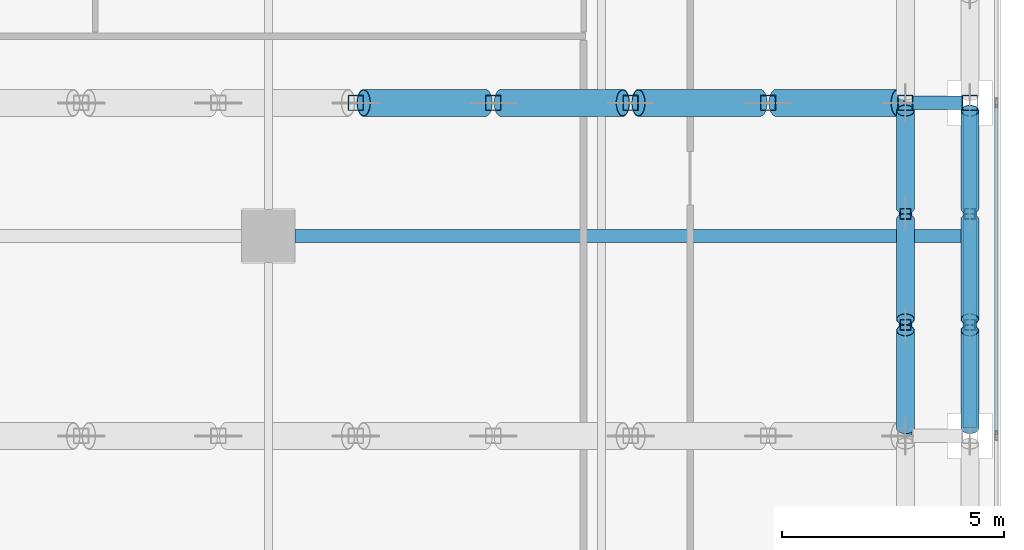
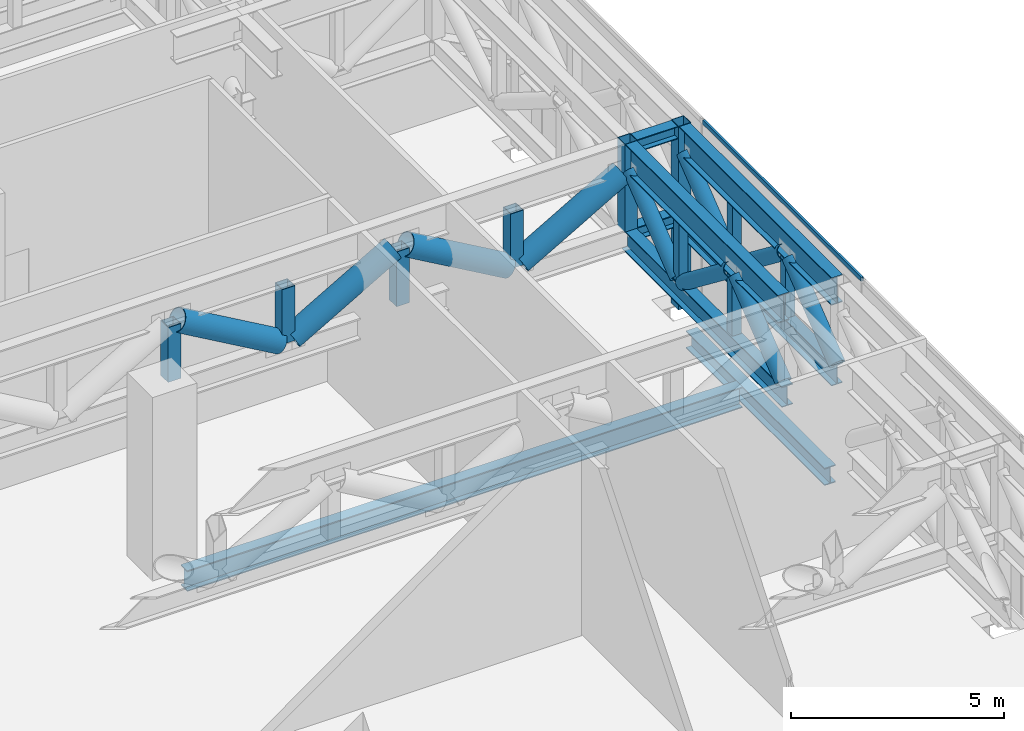
# One storey, part 15 of 36: 25 members, 4 beams, 1 element without a shape of its own.
"""IFC4 building model written with IfcOpenShell, lengths in metres."""

from ifc_helpers import new_model, si_unit, direction, frame, origin, origin_2d, place, context, subcontext, project, spatial, hollow_rectangle, hollow_circle, i_section, extrude, source, transform, mapped, material, material_profile, profile_set, type_object, element, aggregate, save


model = new_model("IFC4")

# Units and contexts
model_context = context("Model", 3, precision=1e-05, world=origin(), true_north=direction((0.0, 1.0)))
body_context = subcontext(model_context, "Body", "Model", "MODEL_VIEW")
ifc_project = project(units=[si_unit("LENGTHUNIT", "METRE"), si_unit("AREAUNIT", "SQUARE_METRE"), si_unit("VOLUMEUNIT", "CUBIC_METRE"), si_unit("PLANEANGLEUNIT", "RADIAN"), si_unit("MASSUNIT", "GRAM", prefix="KILO")], contexts=[model_context])

# Site, building, storey
site_placement = place(None, origin())
site = spatial("IfcSite", under=ifc_project, at=site_placement, CompositionType="ELEMENT")
building_placement = place(site_placement, origin())
building = spatial("IfcBuilding", under=site, at=building_placement, Name="Khomas Fold Tower", CompositionType="ELEMENT")
storey_placement = place(building_placement, frame((0.0, 0.0, 216.699951171875)))
storey = spatial("IfcBuildingStorey", under=building, at=storey_placement, Name="L48", CompositionType="ELEMENT", Elevation=216.699951171875)

# Beams
ifc_material_1 = material(Name="Steel S355", Category="steel")
ifc_material_profile_1 = material_profile(ifc_material_1, i_section(OverallWidth=0.300048828125, OverallDepth=0.5, WebThickness=0.014404296875, FlangeThickness=0.028076171875, at=origin_2d()), Name="HE 500 B")
ifc_profile_set_1 = profile_set([ifc_material_profile_1], Name="Steel S355")
beam_type_1 = type_object("IfcBeamType", Name="HE 500 B spandrel SB3", PredefinedType="SPANDREL", material=ifc_profile_set_1)
shared_shape_1 = source(origin(), body_context, "Body", "SweptSolid", [
    extrude(i_section(OverallWidth=0.300048828125, OverallDepth=0.5, WebThickness=0.014404296875, FlangeThickness=0.028076171875, at=origin_2d()), origin(), (0.0, 0.0, 1.0), 6.5),
])
beam_1_placement = place(storey_placement, frame((50.300048828125, 27.5, -0.64990234375), z_axis=(0.0, 1.0, 0.0), x_axis=(-1.0, 0.0, 0.0)))
element("IfcBeam", 1, at=beam_1_placement, inside=storey, type_object=beam_type_1, Name="SB3", PredefinedType="SPANDREL", context=body_context, shape_type="MappedRepresentation", body=[
    mapped(shared_shape_1, transform((0.0, 0.0, 0.0))),
])
ifc_material_2 = material(Name="Steel S355", Category="steel")
ifc_material_profile_2 = material_profile(ifc_material_2, i_section(OverallWidth=0.300048828125, OverallDepth=0.60009765625, WebThickness=0.015380859375, FlangeThickness=0.030029296875, at=origin_2d()), Name="HE 600 B")
ifc_profile_set_2 = profile_set([ifc_material_profile_2], Name="Steel S355")
beam_type_2 = type_object("IfcBeamType", Name="HE 600 B beam GB5", PredefinedType="BEAM", material=ifc_profile_set_2)
shared_shape_2 = source(origin(), body_context, "Body", "SweptSolid", [
    extrude(i_section(OverallWidth=0.300048828125, OverallDepth=0.60009765625, WebThickness=0.015380859375, FlangeThickness=0.030029296875, at=origin_2d()), origin(), (0.0, 0.0, 1.0), 15.0498046875),
])
beam_2_placement = place(storey_placement, frame((35.10009765625, 31.5, -0.699951171875), z_axis=(1.0, 0.0, 0.0), x_axis=(0.0, 1.0, 0.0)))
element("IfcBeam", 2, at=beam_2_placement, inside=storey, type_object=beam_type_2, Name="GB5", PredefinedType="BEAM", context=body_context, shape_type="MappedRepresentation", body=[
    mapped(shared_shape_2, transform((0.0, 0.0, 0.0))),
])

# Members
ifc_material_3 = material(Name="Steel S355", Category="steel")
ifc_material_profile_3 = material_profile(ifc_material_3, i_section(OverallWidth=0.300048828125, OverallDepth=0.7900390625, WebThickness=0.014892578125, FlangeThickness=0.028076171875, at=origin_2d()), Name="HE 800 A")
ifc_profile_set_3 = profile_set([ifc_material_profile_3], Name="Steel S355")
member_type_1 = type_object("IfcMemberType", Name="BELT TRUSS 3 TOP CHORD HE 800 A", PredefinedType="CHORD", material=ifc_profile_set_3)
shared_shape_3 = source(origin(), body_context, "Body", "SweptSolid", [
    extrude(i_section(OverallWidth=0.300048828125, OverallDepth=0.7900390625, WebThickness=0.014892578125, FlangeThickness=0.028076171875, at=origin_2d()), origin(), (0.0, 0.0, 1.0), 7.14990234375),
])
for number, where, z_axis, x_axis, name in (
    (3, (50.300048828125, 27.175048828125, 4.85498046875), (0.0, 1.0, 0.0), (-1.0, 0.0, 0.0), "BT3-CT"),
    (4, (48.85009765625, 27.175048828125, 4.85498046875), (0.0, 1.0, 0.0), (-1.0, 0.0, 0.0), "BT3-CT"),
):
    element("IfcMember", number, at=place(storey_placement, frame(where, z_axis=z_axis, x_axis=x_axis)), inside=storey, type_object=member_type_1, Name=name, PredefinedType="CHORD", context=body_context, shape_type="MappedRepresentation", body=[
        mapped(shared_shape_3, transform((0.0, 0.0, 0.0))),
    ])
ifc_material_4 = material(Name="Steel S355", Category="steel")
ifc_material_profile_4 = material_profile(ifc_material_4, i_section(OverallWidth=0.300048828125, OverallDepth=0.590087890625, WebThickness=0.012939453125, FlangeThickness=0.02490234375, at=origin_2d()), Name="HE 600 A")
ifc_profile_set_4 = profile_set([ifc_material_profile_4], Name="Steel S355")
member_type_2 = type_object("IfcMemberType", Name="BELT TRUSS 3 BOTTOM CHORD HE 600 A", PredefinedType="CHORD", material=ifc_profile_set_4)
shared_shape_4 = source(origin(), body_context, "Body", "SweptSolid", [
    extrude(i_section(OverallWidth=0.300048828125, OverallDepth=0.590087890625, WebThickness=0.012939453125, FlangeThickness=0.02490234375, at=origin_2d()), origin(), (0.0, 0.0, 1.0), 7.14990234375),
])
member_1_placement = place(storey_placement, frame((50.300048828125, 27.175048828125, 2.445068359375), z_axis=(0.0, 1.0, 0.0), x_axis=(-1.0, 0.0, 0.0)))
element("IfcMember", 5, at=member_1_placement, inside=storey, type_object=member_type_2, Name="BT3-CB", PredefinedType="CHORD", context=body_context, shape_type="MappedRepresentation", body=[
    mapped(shared_shape_4, transform((0.0, 0.0, 0.0))),
])
ifc_material_5 = material(Name="Steel S355", Category="steel")
ifc_material_profile_5 = material_profile(ifc_material_5, hollow_circle(Radius=0.203125, WallThickness=0.012451171875, at=origin_2d()), Name="CHS 406.4x12.5")
ifc_profile_set_5 = profile_set([ifc_material_profile_5], Name="Steel S355")
member_type_3 = type_object("IfcMemberType", Name="BELT TRUSS 3 DIAGONAL CHS 406.4x12.5", PredefinedType="BRACE", material=ifc_profile_set_5)
shared_shape_5 = source(origin(), body_context, "Body", "SweptSolid", [
    extrude(hollow_circle(Radius=0.203125, WallThickness=0.012451171875, at=origin_2d()), origin(), (0.0, 0.0, 1.0), 2.798583984375),
])
for number, where, z_axis, x_axis, name in (
    (6, (50.300048828125, 27.175048828125, 2.735107421875), (0.0, 0.786067028411, 0.618141267709), (-1.0, 0.0, 0.0), "BT3-D"),
    (7, (50.300048828125, 32.125, 2.735107421875), (0.0, 0.786067028411, 0.618141267709), (-1.0, 0.0, 0.0), "BT3-D"),
    (8, (48.85009765625, 27.175048828125, 2.735107421875), (0.0, 0.786067028411, 0.618141267709), (-1.0, 0.0, 0.0), "BT3-D"),
    (9, (48.85009765625, 32.125, 2.735107421875), (0.0, 0.786067028411, 0.618141267709), (-1.0, 0.0, 0.0), "BT3-D"),
):
    element("IfcMember", number, at=place(storey_placement, frame(where, z_axis=z_axis, x_axis=x_axis)), inside=storey, type_object=member_type_3, Name=name, PredefinedType="BRACE", context=body_context, shape_type="MappedRepresentation", body=[
        mapped(shared_shape_5, transform((0.0, 0.0, 0.0))),
    ])
shared_shape_6 = source(origin(), body_context, "Body", "SweptSolid", [
    extrude(hollow_circle(Radius=0.203125, WallThickness=0.012451171875, at=origin_2d()), origin(), (0.0, 0.0, 1.0), 2.838134765625),
])
for number, where, z_axis, x_axis, name in (
    (10, (50.300048828125, 29.625, 4.465087890625), (0.0, 0.792758275848, -0.609536148292), (-1.0, 0.0, 0.0), "BT3-D"),
    (11, (48.85009765625, 29.625, 4.465087890625), (0.0, 0.792758275848, -0.609536148292), (-1.0, 0.0, 0.0), "BT3-D"),
):
    element("IfcMember", number, at=place(storey_placement, frame(where, z_axis=z_axis, x_axis=x_axis)), inside=storey, type_object=member_type_3, Name=name, PredefinedType="BRACE", context=body_context, shape_type="MappedRepresentation", body=[
        mapped(shared_shape_6, transform((0.0, 0.0, 0.0))),
    ])
ifc_material_6 = material(Name="Steel S355", Category="steel")
ifc_material_profile_6 = material_profile(ifc_material_6, hollow_rectangle(XDim=0.25, YDim=0.25, WallThickness=0.01611328125, at=origin_2d()), Name="SHS 250x250x16")
ifc_profile_set_6 = profile_set([ifc_material_profile_6], Name="Steel S355")
member_type_4 = type_object("IfcMemberType", Name="BELT TRUSS 3 MID POST SHS 250x250x16", PredefinedType="POST", material=ifc_profile_set_6)
shared_shape_7 = source(origin(), body_context, "Body", "SweptSolid", [
    extrude(hollow_rectangle(XDim=0.25, YDim=0.25, WallThickness=0.01611328125, at=origin_2d()), origin(), (0.0, 0.0, 1.0), 1.719970703125),
])
for number, where, z_axis, x_axis, name in (
    (12, (50.300048828125, 29.5, 2.739990234375), (0.0, 0.0, 1.0), (1.0, 0.0, 0.0), "BT3-M"),
    (13, (50.300048828125, 32.0, 2.739990234375), (0.0, 0.0, 1.0), (1.0, 0.0, 0.0), "BT3-M"),
    (14, (48.85009765625, 29.5, 2.739990234375), (0.0, 0.0, 1.0), (1.0, 0.0, 0.0), "BT3-M"),
    (15, (48.85009765625, 32.0, 2.739990234375), (0.0, 0.0, 1.0), (1.0, 0.0, 0.0), "BT3-M"),
):
    element("IfcMember", number, at=place(storey_placement, frame(where, z_axis=z_axis, x_axis=x_axis)), inside=storey, type_object=member_type_4, Name=name, PredefinedType="POST", context=body_context, shape_type="MappedRepresentation", body=[
        mapped(shared_shape_7, transform((0.0, 0.0, 0.0))),
    ])
shared_shape_8 = source(origin(), body_context, "Body", "SweptSolid", [
    extrude(i_section(OverallWidth=0.300048828125, OverallDepth=0.590087890625, WebThickness=0.012939453125, FlangeThickness=0.02490234375, at=origin_2d()), origin(), (0.0, 0.0, 1.0), 7.5),
])
member_2_placement = place(storey_placement, frame((48.85009765625, 27.0, 2.445068359375), z_axis=(0.0, 1.0, 0.0), x_axis=(-1.0, 0.0, 0.0)))
element("IfcMember", 16, at=member_2_placement, inside=storey, type_object=member_type_2, Name="BT3-CB", PredefinedType="CHORD", context=body_context, shape_type="MappedRepresentation", body=[
    mapped(shared_shape_8, transform((0.0, 0.0, 0.0))),
])
ifc_material_7 = material(Name="Steel S355", Category="steel")
ifc_material_profile_7 = material_profile(ifc_material_7, hollow_rectangle(XDim=0.35009765625, YDim=0.35009765625, WallThickness=0.01611328125, at=origin_2d()), Name="SHS 350x350x16")
ifc_profile_set_7 = profile_set([ifc_material_profile_7], Name="Steel S355")
member_type_5 = type_object("IfcMemberType", Name="BELT TRUSS 3 COLUMN POST SHS 350x350x16", PredefinedType="POST", material=ifc_profile_set_7)
shared_shape_9 = source(origin(), body_context, "Body", "SweptSolid", [
    extrude(hollow_rectangle(XDim=0.35009765625, YDim=0.35009765625, WallThickness=0.01611328125, at=origin_2d()), origin(), (0.0, 0.0, 1.0), 5.25),
])
member_3_placement = place(storey_placement, frame((50.300048828125, 34.5, 0.0), z_axis=(0.0, 0.0, 1.0), x_axis=(1.0, 0.0, 0.0)))
element("IfcMember", 17, at=member_3_placement, inside=storey, type_object=member_type_5, Name="BT3-P", PredefinedType="POST", context=body_context, shape_type="MappedRepresentation", body=[
    mapped(shared_shape_9, transform((0.0, 0.0, 0.0))),
])
ifc_material_8 = material(Name="Steel S355", Category="steel")
ifc_material_profile_8 = material_profile(ifc_material_8, hollow_rectangle(XDim=0.35009765625, YDim=0.35009765625, WallThickness=0.01611328125, at=origin_2d()), Name="SHS 350x350x16")
ifc_profile_set_8 = profile_set([ifc_material_profile_8], Name="Steel S355")
member_type_6 = type_object("IfcMemberType", Name="BELT TRUSS 3 COLUMN POST SHORT SHS 350x350x16", PredefinedType="POST", material=ifc_profile_set_8)
shared_shape_10 = source(origin(), body_context, "Body", "SweptSolid", [
    extrude(hollow_rectangle(XDim=0.35009765625, YDim=0.35009765625, WallThickness=0.01611328125, at=origin_2d()), origin(), (0.0, 0.0, 1.0), 2.510009765625),
])
member_4_placement = place(storey_placement, frame((48.85009765625, 34.5, 2.739990234375), z_axis=(0.0, 0.0, 1.0), x_axis=(1.0, 0.0, 0.0)))
element("IfcMember", 18, at=member_4_placement, inside=storey, type_object=member_type_6, Name="BT3-PS", PredefinedType="POST", context=body_context, shape_type="MappedRepresentation", body=[
    mapped(shared_shape_10, transform((0.0, 0.0, 0.0))),
])

# Beams
ifc_material_9 = material(Name="Steel S355", Category="steel")
ifc_material_profile_9 = material_profile(ifc_material_9, i_section(OverallWidth=0.300048828125, OverallDepth=0.360107421875, WebThickness=0.012451171875, FlangeThickness=0.0224609375, at=origin_2d()), Name="HE 360 B")
ifc_profile_set_9 = profile_set([ifc_material_profile_9], Name="Steel S355")
beam_type_3 = type_object("IfcBeamType", Name="BELT TRUSS 3 TOP STRUT HE 360 B", PredefinedType="BEAM", material=ifc_profile_set_9)
shared_shape_11 = source(origin(), body_context, "Body", "SweptSolid", [
    extrude(i_section(OverallWidth=0.300048828125, OverallDepth=0.360107421875, WebThickness=0.012451171875, FlangeThickness=0.0224609375, at=origin_2d()), origin(), (0.0, 0.0, 1.0), 1.10009765625),
])
beam_3_placement = place(storey_placement, frame((49.02490234375, 34.5, 5.070068359375), z_axis=(1.0, 0.0, 0.0), x_axis=(0.0, 1.0, 0.0)))
element("IfcBeam", 19, at=beam_3_placement, inside=storey, type_object=beam_type_3, Name="BT3-ST", PredefinedType="BEAM", context=body_context, shape_type="MappedRepresentation", body=[
    mapped(shared_shape_11, transform((0.0, 0.0, 0.0))),
])
ifc_material_10 = material(Name="Steel S355", Category="steel")
ifc_material_profile_10 = material_profile(ifc_material_10, i_section(OverallWidth=0.300048828125, OverallDepth=0.360107421875, WebThickness=0.012451171875, FlangeThickness=0.0224609375, at=origin_2d()), Name="HE 360 B")
ifc_profile_set_10 = profile_set([ifc_material_profile_10], Name="Steel S355")
beam_type_4 = type_object("IfcBeamType", Name="BELT TRUSS 3 BOTTOM STRUT HE 360 B", PredefinedType="BEAM", material=ifc_profile_set_10)
shared_shape_12 = source(origin(), body_context, "Body", "SweptSolid", [
    extrude(i_section(OverallWidth=0.300048828125, OverallDepth=0.360107421875, WebThickness=0.012451171875, FlangeThickness=0.0224609375, at=origin_2d()), origin(), (0.0, 0.0, 1.0), 1.125),
])
beam_4_placement = place(storey_placement, frame((49.0, 34.5, 2.56005859375), z_axis=(1.0, 0.0, 0.0), x_axis=(0.0, 1.0, 0.0)))
element("IfcBeam", 20, at=beam_4_placement, inside=storey, type_object=beam_type_4, Name="BT3-SB", PredefinedType="BEAM", context=body_context, shape_type="MappedRepresentation", body=[
    mapped(shared_shape_12, transform((0.0, 0.0, 0.0))),
])

# Members
ifc_material_11 = material(Name="Steel S355", Category="steel")
ifc_material_profile_11 = material_profile(ifc_material_11, hollow_circle(Radius=0.304931640625, WallThickness=0.02001953125, at=origin_2d()), Name="CHS 610x20")
ifc_profile_set_11 = profile_set([ifc_material_profile_11], Name="Steel S355")
member_type_7 = type_object("IfcMemberType", Name="OUTRIGGER 2 DIAGONAL CHS 610x20", PredefinedType="BRACE", material=ifc_profile_set_11)
shared_shape_13 = source(origin(), body_context, "Body", "SweptSolid", [
    extrude(hollow_circle(Radius=0.304931640625, WallThickness=0.02001953125, at=origin_2d()), origin(), (0.0, 0.0, 1.0), 3.166748046875),
])
for number, where, z_axis, x_axis, name in (
    (21, (36.647216796875, 34.5, 4.344970703125), (0.866658823568, 0.0, -0.498901276338), (0.0, 1.0, 0.0), "OR2-D"),
    (22, (39.74169921875, 34.5, 2.76513671875), (0.866658823568, 0.0, 0.498901276338), (0.0, 1.0, 0.0), "OR2-D"),
    (23, (42.836181640625, 34.5, 4.344970703125), (0.866658823568, 0.0, -0.498901276338), (0.0, 1.0, 0.0), "OR2-D"),
    (24, (45.9306640625, 34.5, 2.76513671875), (0.866658823568, 0.0, 0.498901276338), (0.0, 1.0, 0.0), "OR2-D"),
):
    element("IfcMember", number, at=place(storey_placement, frame(where, z_axis=z_axis, x_axis=x_axis)), inside=storey, type_object=member_type_7, Name=name, PredefinedType="BRACE", context=body_context, shape_type="MappedRepresentation", body=[
        mapped(shared_shape_13, transform((0.0, 0.0, 0.0))),
    ])
ifc_material_12 = material(Name="Steel S355", Category="steel")
ifc_material_profile_12 = material_profile(ifc_material_12, hollow_rectangle(XDim=0.35009765625, YDim=0.35009765625, WallThickness=0.01611328125, at=origin_2d()), Name="SHS 350x350x16")
ifc_profile_set_12 = profile_set([ifc_material_profile_12], Name="Steel S355")
member_type_8 = type_object("IfcMemberType", Name="OUTRIGGER 2 MID POST SHS 350x350x16", PredefinedType="POST", material=ifc_profile_set_12)
shared_shape_14 = source(origin(), body_context, "Body", "SweptSolid", [
    extrude(hollow_rectangle(XDim=0.35009765625, YDim=0.35009765625, WallThickness=0.01611328125, at=origin_2d()), origin(), (0.0, 0.0, 1.0), 1.570068359375),
])
for number, where, z_axis, x_axis, name in (
    (25, (36.47216796875, 34.5, 2.77001953125), (0.0, 0.0, 1.0), (1.0, 0.0, 0.0), "OR2-M"),
    (26, (39.566650390625, 34.5, 2.77001953125), (0.0, 0.0, 1.0), (1.0, 0.0, 0.0), "OR2-M"),
    (27, (42.6611328125, 34.5, 2.77001953125), (0.0, 0.0, 1.0), (1.0, 0.0, 0.0), "OR2-M"),
    (28, (45.755615234375, 34.5, 2.77001953125), (0.0, 0.0, 1.0), (1.0, 0.0, 0.0), "OR2-M"),
):
    element("IfcMember", number, at=place(storey_placement, frame(where, z_axis=z_axis, x_axis=x_axis)), inside=storey, type_object=member_type_8, Name=name, PredefinedType="POST", context=body_context, shape_type="MappedRepresentation", body=[
        mapped(shared_shape_14, transform((0.0, 0.0, 0.0))),
    ])

# Curtain wall, member
ifc_material_13 = material(Name="Aluminium framed double glazing", Category="aluminium")
curtain_wall_type = type_object("IfcCurtainWallType", Name="SK-Plant louvre wall CW4", PredefinedType="NOTDEFINED", material=ifc_material_13)
curtain_wall_placement = place(storey_placement, origin())
curtain_wall = element("IfcCurtainWall", 29, at=curtain_wall_placement, inside=storey, type_object=curtain_wall_type, Name="CW4 run L48 03-0", PredefinedType="NOTDEFINED")
ifc_material_14 = material(Name="Aluminium", Category="aluminium")
ifc_material_profile_13 = material_profile(ifc_material_14, hollow_rectangle(XDim=0.06005859375, YDim=0.1201171875, WallThickness=0.00390625, at=origin_2d()), Name="SK-Plant louvre wall transom CW4-T")
ifc_profile_set_13 = profile_set([ifc_material_profile_13], Name="Aluminium")
member_type_9 = type_object("IfcMemberType", Name="SK-Plant louvre wall transom CW4-T", PredefinedType="USERDEFINED", material=ifc_profile_set_13)
shared_shape_15 = source(origin(), body_context, "Body", "SweptSolid", [
    extrude(hollow_rectangle(XDim=0.06005859375, YDim=0.1201171875, WallThickness=0.00390625, at=origin_2d()), origin(), (0.0, 0.0, 1.0), 7.43994140625),
])
member_5_placement = place(storey_placement, frame((50.89990234375, 27.030029296875, 5.0400390625), z_axis=(0.0, 1.0, 0.0), x_axis=(-1.0, 0.0, 0.0)))
member_5 = element("IfcMember", 30, at=member_5_placement, type_object=member_type_9, Name="CW4 transom 5", ObjectType="TRANSOM", PredefinedType="USERDEFINED", context=body_context, shape_type="MappedRepresentation", body=[
    mapped(shared_shape_15, transform((0.0, 0.0, 0.0))),
])
aggregate(curtain_wall, [member_5])

save(model, "model.ifc")
